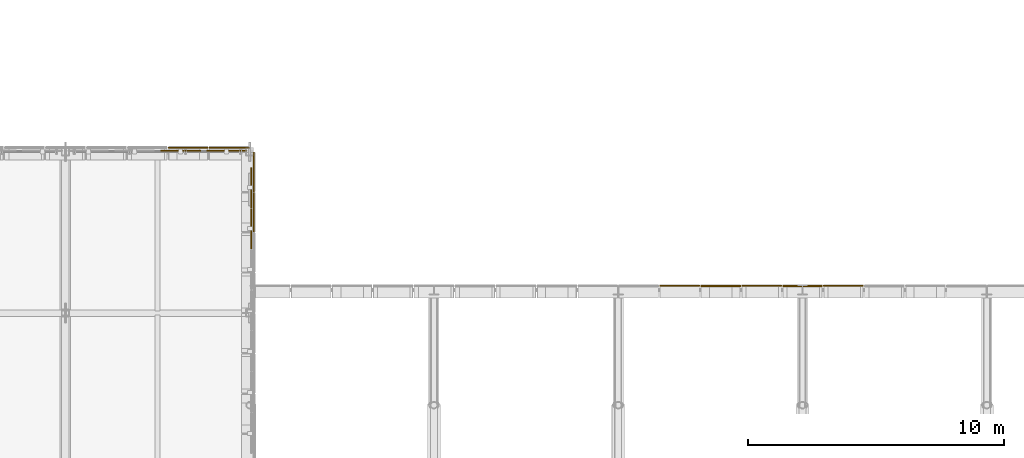
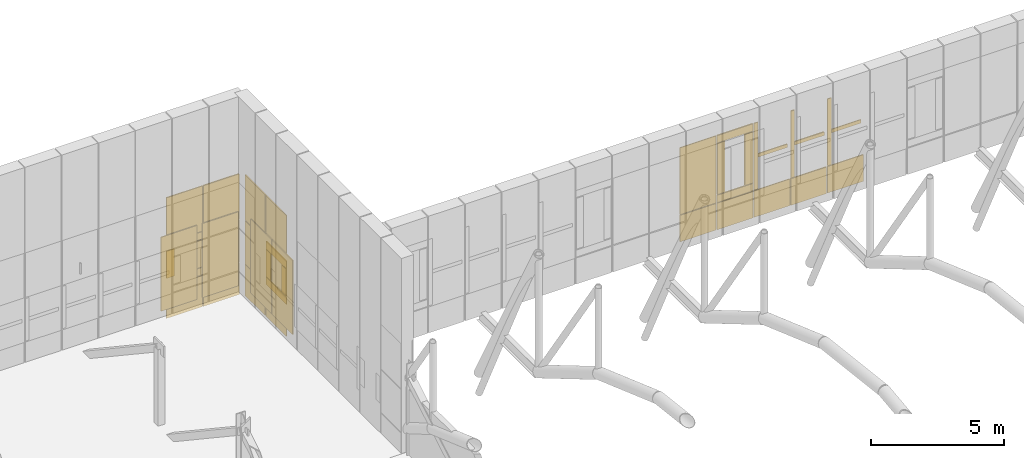
# One storey, part 139 of 144: 34 coverings, 4 shading devices.
"""IFC4 building model written with IfcOpenShell, lengths in metres."""

from ifc_helpers import new_model, si_unit, direction, frame, origin, origin_2d, place, context, subcontext, project, spatial, rectangle, extrude, material, layer, layer_set, type_object, element, save


model = new_model("IFC4")

# Units and contexts
model_context = context("Model", 3, precision=1e-05, world=origin(), true_north=direction((0.0, 1.0)))
body_context = subcontext(model_context, "Body", "Model", "MODEL_VIEW")
ifc_project = project(units=[si_unit("LENGTHUNIT", "METRE"), si_unit("AREAUNIT", "SQUARE_METRE"), si_unit("VOLUMEUNIT", "CUBIC_METRE"), si_unit("PLANEANGLEUNIT", "RADIAN"), si_unit("MASSUNIT", "GRAM", prefix="KILO")], contexts=[model_context])

# Site, building, storey
site_placement = place(None, origin())
site = spatial("IfcSite", under=ifc_project, at=site_placement, CompositionType="ELEMENT")
building_placement = place(site_placement, origin())
building = spatial("IfcBuilding", under=site, at=building_placement, Name="Yarey Park Central Fire Station", CompositionType="ELEMENT")
storey_placement = place(building_placement, frame((0.0, 0.0, 10.199951171875)))
storey = spatial("IfcBuildingStorey", under=building, at=storey_placement, Name="L03", CompositionType="ELEMENT", Elevation=10.199951171875)

# Coverings
ifc_material_1 = material(Name="Perforated Powder-Coated Aluminium Cladding", Category="aluminium")
ifc_layer_1 = layer(ifc_material_1, 0.0419921875)
ifc_layer_set_1 = layer_set([ifc_layer_1], Name="Perforated Powder-Coated Aluminium Cladding")
covering_type_1 = type_object("IfcCoveringType", Name="ENV_COV_PERF_1", PredefinedType="CLADDING", material=ifc_layer_set_1)
covering_1_placement = place(storey_placement, frame((57.760009765625, 96.637451171875, -0.5048828125), z_axis=(0.0, 0.0, 1.0), x_axis=(0.0, 1.0, 0.0)))
element("IfcCovering", 1, at=covering_1_placement, inside=storey, type_object=covering_type_1, Name="PERF_L03_0510", PredefinedType="CLADDING", context=body_context, shape_type="SweptSolid", body=[
    extrude(rectangle(XDim=1.534912109375, YDim=0.0419921875, at=origin_2d()), origin(), (0.0, 0.0, 1.0), 1.43994140625),
])
for number, where, z_axis, x_axis, name in (
    (2, (57.760009765625, 96.637451171875, 0.9599609375), (0.0, 0.0, 1.0), (0.0, 1.0, 0.0), "PERF_L03_0511"),
    (3, (57.760009765625, 96.637451171875, 2.60009765625), (0.0, 0.0, 1.0), (0.0, 1.0, 0.0), "PERF_L03_0512"),
):
    element("IfcCovering", number, at=place(storey_placement, frame(where, z_axis=z_axis, x_axis=x_axis)), inside=storey, type_object=covering_type_1, Name=name, PredefinedType="CLADDING", context=body_context, shape_type="SweptSolid", body=[
        extrude(rectangle(XDim=1.534912109375, YDim=0.0419921875, at=origin_2d()), origin(), (0.0, 0.0, 1.0), 0.340087890625),
    ])
for number, where, z_axis, x_axis, name in (
    (4, (57.760009765625, 96.050048828125, 1.324951171875), (0.0, 0.0, 1.0), (0.0, 1.0, 0.0), "PERF_L03_0513"),
    (5, (57.760009765625, 97.22509765625, 1.324951171875), (0.0, 0.0, 1.0), (0.0, 1.0, 0.0), "PERF_L03_0514"),
):
    element("IfcCovering", number, at=place(storey_placement, frame(where, z_axis=z_axis, x_axis=x_axis)), inside=storey, type_object=covering_type_1, Name=name, PredefinedType="CLADDING", context=body_context, shape_type="SweptSolid", body=[
        extrude(rectangle(XDim=0.340087890625, YDim=0.0419921875, at=origin_2d()), origin(), (0.0, 0.0, 1.0), 1.25),
    ])
covering_2_placement = place(storey_placement, frame((57.760009765625, 96.637451171875, 2.96484375), z_axis=(0.0, 0.0, 1.0), x_axis=(0.0, 1.0, 0.0)))
element("IfcCovering", 6, at=covering_2_placement, inside=storey, type_object=covering_type_1, Name="PERF_L03_0515", PredefinedType="CLADDING", context=body_context, shape_type="SweptSolid", body=[
    extrude(rectangle(XDim=1.534912109375, YDim=0.0419921875, at=origin_2d()), origin(), (0.0, 0.0, 1.0), 2.070068359375),
])
covering_3_placement = place(storey_placement, frame((55.199951171875, 99.159912109375, -0.5048828125), z_axis=(0.0, 0.0, 1.0), x_axis=(1.0, 0.0, 0.0)))
element("IfcCovering", 7, at=covering_3_placement, inside=storey, type_object=covering_type_1, Name="PERF_L03_0901", PredefinedType="CLADDING", context=body_context, shape_type="SweptSolid", body=[
    extrude(rectangle(XDim=1.56005859375, YDim=0.0419921875, at=origin_2d()), origin(), (0.0, 0.0, 1.0), 1.43994140625),
])
for number, where, z_axis, x_axis, name in (
    (8, (55.199951171875, 99.159912109375, 0.9599609375), (0.0, 0.0, 1.0), (1.0, 0.0, 0.0), "PERF_L03_0902"),
    (9, (55.199951171875, 99.159912109375, 2.60009765625), (0.0, 0.0, 1.0), (1.0, 0.0, 0.0), "PERF_L03_0903"),
):
    element("IfcCovering", number, at=place(storey_placement, frame(where, z_axis=z_axis, x_axis=x_axis)), inside=storey, type_object=covering_type_1, Name=name, PredefinedType="CLADDING", context=body_context, shape_type="SweptSolid", body=[
        extrude(rectangle(XDim=1.56005859375, YDim=0.0419921875, at=origin_2d()), origin(), (0.0, 0.0, 1.0), 0.340087890625),
    ])
for number, where, z_axis, x_axis, name in (
    (10, (54.60009765625, 99.159912109375, 1.324951171875), (0.0, 0.0, 1.0), (1.0, 0.0, 0.0), "PERF_L03_0904"),
    (11, (55.800048828125, 99.159912109375, 1.324951171875), (0.0, 0.0, 1.0), (1.0, 0.0, 0.0), "PERF_L03_0905"),
):
    element("IfcCovering", number, at=place(storey_placement, frame(where, z_axis=z_axis, x_axis=x_axis)), inside=storey, type_object=covering_type_1, Name=name, PredefinedType="CLADDING", context=body_context, shape_type="SweptSolid", body=[
        extrude(rectangle(XDim=0.340087890625, YDim=0.0419921875, at=origin_2d()), origin(), (0.0, 0.0, 1.0), 1.25),
    ])
covering_4_placement = place(storey_placement, frame((55.199951171875, 99.159912109375, 2.96484375), z_axis=(0.0, 0.0, 1.0), x_axis=(1.0, 0.0, 0.0)))
element("IfcCovering", 12, at=covering_4_placement, inside=storey, type_object=covering_type_1, Name="PERF_L03_0906", PredefinedType="CLADDING", context=body_context, shape_type="SweptSolid", body=[
    extrude(rectangle(XDim=1.56005859375, YDim=0.0419921875, at=origin_2d()), origin(), (0.0, 0.0, 1.0), 2.070068359375),
])
covering_5_placement = place(storey_placement, frame((74.39990234375, 93.760009765625, -0.43505859375), z_axis=(0.0, 0.0, 1.0), x_axis=(1.0, 0.0, 0.0)))
element("IfcCovering", 13, at=covering_5_placement, inside=storey, type_object=covering_type_1, Name="PERF_L03_1606", PredefinedType="CLADDING", context=body_context, shape_type="SweptSolid", body=[
    extrude(rectangle(XDim=1.56005859375, YDim=0.0419921875, at=origin_2d()), origin(), (0.0, 0.0, 1.0), 1.219970703125),
])
covering_6_placement = place(storey_placement, frame((74.39990234375, 93.760009765625, 0.81494140625), z_axis=(0.0, 0.0, 1.0), x_axis=(1.0, 0.0, 0.0)))
element("IfcCovering", 14, at=covering_6_placement, inside=storey, type_object=covering_type_1, Name="PERF_L03_1607", PredefinedType="CLADDING", context=body_context, shape_type="SweptSolid", body=[
    extrude(rectangle(XDim=1.56005859375, YDim=0.0419921875, at=origin_2d()), origin(), (0.0, 0.0, 1.0), 3.070068359375),
])
covering_7_placement = place(storey_placement, frame((77.60009765625, 93.760009765625, -0.43505859375), z_axis=(0.0, 0.0, 1.0), x_axis=(1.0, 0.0, 0.0)))
element("IfcCovering", 15, at=covering_7_placement, inside=storey, type_object=covering_type_1, Name="PERF_L03_1615", PredefinedType="CLADDING", context=body_context, shape_type="SweptSolid", body=[
    extrude(rectangle(XDim=1.56005859375, YDim=0.0419921875, at=origin_2d()), origin(), (0.0, 0.0, 1.0), 1.219970703125),
])
covering_8_placement = place(storey_placement, frame((76.909912109375, 93.760009765625, 0.81494140625), z_axis=(0.0, 0.0, 1.0), x_axis=(1.0, 0.0, 0.0)))
element("IfcCovering", 16, at=covering_8_placement, inside=storey, type_object=covering_type_1, Name="PERF_L03_1616", PredefinedType="CLADDING", context=body_context, shape_type="SweptSolid", body=[
    extrude(rectangle(XDim=0.159912109375, YDim=0.0419921875, at=origin_2d()), origin(), (0.0, 0.0, 1.0), 3.070068359375),
])
covering_9_placement = place(storey_placement, frame((77.60009765625, 93.760009765625, 2.27001953125), z_axis=(0.0, 0.0, 1.0), x_axis=(1.0, 0.0, 0.0)))
element("IfcCovering", 17, at=covering_9_placement, inside=storey, type_object=covering_type_1, Name="PERF_L03_1617", PredefinedType="CLADDING", context=body_context, shape_type="SweptSolid", body=[
    extrude(rectangle(XDim=1.360107421875, YDim=0.0419921875, at=origin_2d()), origin(), (0.0, 0.0, 1.0), 0.159912109375),
])
covering_10_placement = place(storey_placement, frame((80.800048828125, 93.760009765625, -0.43505859375), z_axis=(0.0, 0.0, 1.0), x_axis=(1.0, 0.0, 0.0)))
element("IfcCovering", 18, at=covering_10_placement, inside=storey, type_object=covering_type_1, Name="PERF_L03_1623", PredefinedType="CLADDING", context=body_context, shape_type="SweptSolid", body=[
    extrude(rectangle(XDim=1.56005859375, YDim=0.0419921875, at=origin_2d()), origin(), (0.0, 0.0, 1.0), 1.219970703125),
])
covering_11_placement = place(storey_placement, frame((80.110107421875, 93.760009765625, 0.81494140625), z_axis=(0.0, 0.0, 1.0), x_axis=(1.0, 0.0, 0.0)))
element("IfcCovering", 19, at=covering_11_placement, inside=storey, type_object=covering_type_1, Name="PERF_L03_1624", PredefinedType="CLADDING", context=body_context, shape_type="SweptSolid", body=[
    extrude(rectangle(XDim=0.159912109375, YDim=0.0419921875, at=origin_2d()), origin(), (0.0, 0.0, 1.0), 3.070068359375),
])
covering_12_placement = place(storey_placement, frame((80.800048828125, 93.760009765625, 2.27001953125), z_axis=(0.0, 0.0, 1.0), x_axis=(1.0, 0.0, 0.0)))
element("IfcCovering", 20, at=covering_12_placement, inside=storey, type_object=covering_type_1, Name="PERF_L03_1625", PredefinedType="CLADDING", context=body_context, shape_type="SweptSolid", body=[
    extrude(rectangle(XDim=1.360107421875, YDim=0.0419921875, at=origin_2d()), origin(), (0.0, 0.0, 1.0), 0.159912109375),
])
ifc_layer_2 = layer(ifc_material_1, 0.053955078125)
ifc_layer_set_2 = layer_set([ifc_layer_2], Name="Perforated Powder-Coated Aluminium Cladding")
covering_type_2 = type_object("IfcCoveringType", Name="ENV_COV_PERF_2", PredefinedType="CLADDING", material=ifc_layer_set_2)
covering_13_placement = place(storey_placement, frame((57.760009765625, 98.21240234375, -0.5048828125), z_axis=(0.0, 0.0, 1.0), x_axis=(0.0, 1.0, 0.0)))
element("IfcCovering", 21, at=covering_13_placement, inside=storey, type_object=covering_type_2, Name="PERF_L03_0521", PredefinedType="CLADDING", context=body_context, shape_type="SweptSolid", body=[
    extrude(rectangle(XDim=1.534912109375, YDim=0.053955078125, at=origin_2d()), origin(), (0.0, 0.0, 1.0), 1.43994140625),
])
covering_14_placement = place(storey_placement, frame((57.760009765625, 98.21240234375, 0.96484375), z_axis=(0.0, 0.0, 1.0), x_axis=(0.0, 1.0, 0.0)))
element("IfcCovering", 22, at=covering_14_placement, inside=storey, type_object=covering_type_2, Name="PERF_L03_0522", PredefinedType="CLADDING", context=body_context, shape_type="SweptSolid", body=[
    extrude(rectangle(XDim=1.534912109375, YDim=0.053955078125, at=origin_2d()), origin(), (0.0, 0.0, 1.0), 1.969970703125),
])
covering_15_placement = place(storey_placement, frame((57.760009765625, 98.21240234375, 2.96484375), z_axis=(0.0, 0.0, 1.0), x_axis=(0.0, 1.0, 0.0)))
element("IfcCovering", 23, at=covering_15_placement, inside=storey, type_object=covering_type_2, Name="PERF_L03_0523", PredefinedType="CLADDING", context=body_context, shape_type="SweptSolid", body=[
    extrude(rectangle(XDim=1.534912109375, YDim=0.053955078125, at=origin_2d()), origin(), (0.0, 0.0, 1.0), 2.070068359375),
])
covering_16_placement = place(storey_placement, frame((56.800048828125, 99.159912109375, -0.5048828125), z_axis=(0.0, 0.0, 1.0), x_axis=(1.0, 0.0, 0.0)))
element("IfcCovering", 24, at=covering_16_placement, inside=storey, type_object=covering_type_2, Name="PERF_L03_0912", PredefinedType="CLADDING", context=body_context, shape_type="SweptSolid", body=[
    extrude(rectangle(XDim=1.56005859375, YDim=0.053955078125, at=origin_2d()), origin(), (0.0, 0.0, 1.0), 1.43994140625),
])
covering_17_placement = place(storey_placement, frame((56.800048828125, 99.159912109375, 0.96484375), z_axis=(0.0, 0.0, 1.0), x_axis=(1.0, 0.0, 0.0)))
element("IfcCovering", 25, at=covering_17_placement, inside=storey, type_object=covering_type_2, Name="PERF_L03_0913", PredefinedType="CLADDING", context=body_context, shape_type="SweptSolid", body=[
    extrude(rectangle(XDim=1.56005859375, YDim=0.053955078125, at=origin_2d()), origin(), (0.0, 0.0, 1.0), 1.969970703125),
])
covering_18_placement = place(storey_placement, frame((56.800048828125, 99.159912109375, 2.96484375), z_axis=(0.0, 0.0, 1.0), x_axis=(1.0, 0.0, 0.0)))
element("IfcCovering", 26, at=covering_18_placement, inside=storey, type_object=covering_type_2, Name="PERF_L03_0914", PredefinedType="CLADDING", context=body_context, shape_type="SweptSolid", body=[
    extrude(rectangle(XDim=1.56005859375, YDim=0.053955078125, at=origin_2d()), origin(), (0.0, 0.0, 1.0), 2.070068359375),
])
covering_19_placement = place(storey_placement, frame((76.0, 93.760009765625, -0.43505859375), z_axis=(0.0, 0.0, 1.0), x_axis=(1.0, 0.0, 0.0)))
element("IfcCovering", 27, at=covering_19_placement, inside=storey, type_object=covering_type_2, Name="PERF_L03_1609", PredefinedType="CLADDING", context=body_context, shape_type="SweptSolid", body=[
    extrude(rectangle(XDim=1.56005859375, YDim=0.053955078125, at=origin_2d()), origin(), (0.0, 0.0, 1.0), 1.219970703125),
])
for number, where, z_axis, x_axis, name in (
    (28, (76.0, 93.760009765625, 0.81005859375), (0.0, 0.0, 1.0), (1.0, 0.0, 0.0), "PERF_L03_1610"),
    (29, (76.0, 93.760009765625, 3.5498046875), (0.0, 0.0, 1.0), (1.0, 0.0, 0.0), "PERF_L03_1611"),
):
    element("IfcCovering", number, at=place(storey_placement, frame(where, z_axis=z_axis, x_axis=x_axis)), inside=storey, type_object=covering_type_2, Name=name, PredefinedType="CLADDING", context=body_context, shape_type="SweptSolid", body=[
        extrude(rectangle(XDim=1.56005859375, YDim=0.053955078125, at=origin_2d()), origin(), (0.0, 0.0, 1.0), 0.340087890625),
    ])
for number, where, z_axis, x_axis, name in (
    (30, (75.39990234375, 93.760009765625, 1.175048828125), (0.0, 0.0, 1.0), (1.0, 0.0, 0.0), "PERF_L03_1612"),
    (31, (76.60009765625, 93.760009765625, 1.175048828125), (0.0, 0.0, 1.0), (1.0, 0.0, 0.0), "PERF_L03_1613"),
):
    element("IfcCovering", number, at=place(storey_placement, frame(where, z_axis=z_axis, x_axis=x_axis)), inside=storey, type_object=covering_type_2, Name=name, PredefinedType="CLADDING", context=body_context, shape_type="SweptSolid", body=[
        extrude(rectangle(XDim=0.340087890625, YDim=0.053955078125, at=origin_2d()), origin(), (0.0, 0.0, 1.0), 2.35009765625),
    ])
covering_20_placement = place(storey_placement, frame((79.199951171875, 93.760009765625, -0.43505859375), z_axis=(0.0, 0.0, 1.0), x_axis=(1.0, 0.0, 0.0)))
element("IfcCovering", 32, at=covering_20_placement, inside=storey, type_object=covering_type_2, Name="PERF_L03_1619", PredefinedType="CLADDING", context=body_context, shape_type="SweptSolid", body=[
    extrude(rectangle(XDim=1.56005859375, YDim=0.053955078125, at=origin_2d()), origin(), (0.0, 0.0, 1.0), 1.219970703125),
])
covering_21_placement = place(storey_placement, frame((78.510009765625, 93.760009765625, 0.81494140625), z_axis=(0.0, 0.0, 1.0), x_axis=(1.0, 0.0, 0.0)))
element("IfcCovering", 33, at=covering_21_placement, inside=storey, type_object=covering_type_2, Name="PERF_L03_1620", PredefinedType="CLADDING", context=body_context, shape_type="SweptSolid", body=[
    extrude(rectangle(XDim=0.159912109375, YDim=0.053955078125, at=origin_2d()), origin(), (0.0, 0.0, 1.0), 3.070068359375),
])
covering_22_placement = place(storey_placement, frame((79.199951171875, 93.760009765625, 2.27001953125), z_axis=(0.0, 0.0, 1.0), x_axis=(1.0, 0.0, 0.0)))
element("IfcCovering", 34, at=covering_22_placement, inside=storey, type_object=covering_type_2, Name="PERF_L03_1621", PredefinedType="CLADDING", context=body_context, shape_type="SweptSolid", body=[
    extrude(rectangle(XDim=1.360107421875, YDim=0.053955078125, at=origin_2d()), origin(), (0.0, 0.0, 1.0), 0.159912109375),
])

# Shading devices
ifc_material_2 = material(Name="Perforated Powder-Coated Aluminium Screen", Category="aluminium")
ifc_layer_3 = layer(ifc_material_2, 0.0400390625)
ifc_layer_set_3 = layer_set([ifc_layer_3], Name="Perforated Powder-Coated Aluminium Screen")
shading_device_type = type_object("IfcShadingDeviceType", Name="ENV_SHD_SCR_1", PredefinedType="USERDEFINED", material=ifc_layer_set_3)
for number, where, z_axis, x_axis, name in (
    (35, (54.89990234375, 99.0400390625, 0.0), (0.0, 0.0, 1.0), (1.0, 0.0, 0.0), "SCR_L03_N_015"),
    (36, (56.699951171875, 99.0400390625, 0.0), (0.0, 0.0, 1.0), (1.0, 0.0, 0.0), "SCR_L03_N_016"),
    (37, (57.659912109375, 96.0, 0.0), (0.0, 0.0, 1.0), (0.0, 1.0, 0.0), "SCR_L03_SIDE_028"),
    (38, (57.659912109375, 97.60009765625, 0.0), (0.0, 0.0, 1.0), (0.0, 1.0, 0.0), "SCR_L03_SIDE_030"),
):
    element("IfcShadingDevice", number, at=place(storey_placement, frame(where, z_axis=z_axis, x_axis=x_axis)), inside=storey, type_object=shading_device_type, Name=name, ObjectType="SCREEN", PredefinedType="USERDEFINED", context=body_context, shape_type="SweptSolid", body=[
        extrude(rectangle(XDim=1.56005859375, YDim=0.0400390625, at=origin_2d()), origin(), (0.0, 0.0, 1.0), 3.39990234375),
    ])

save(model, "model.ifc")
